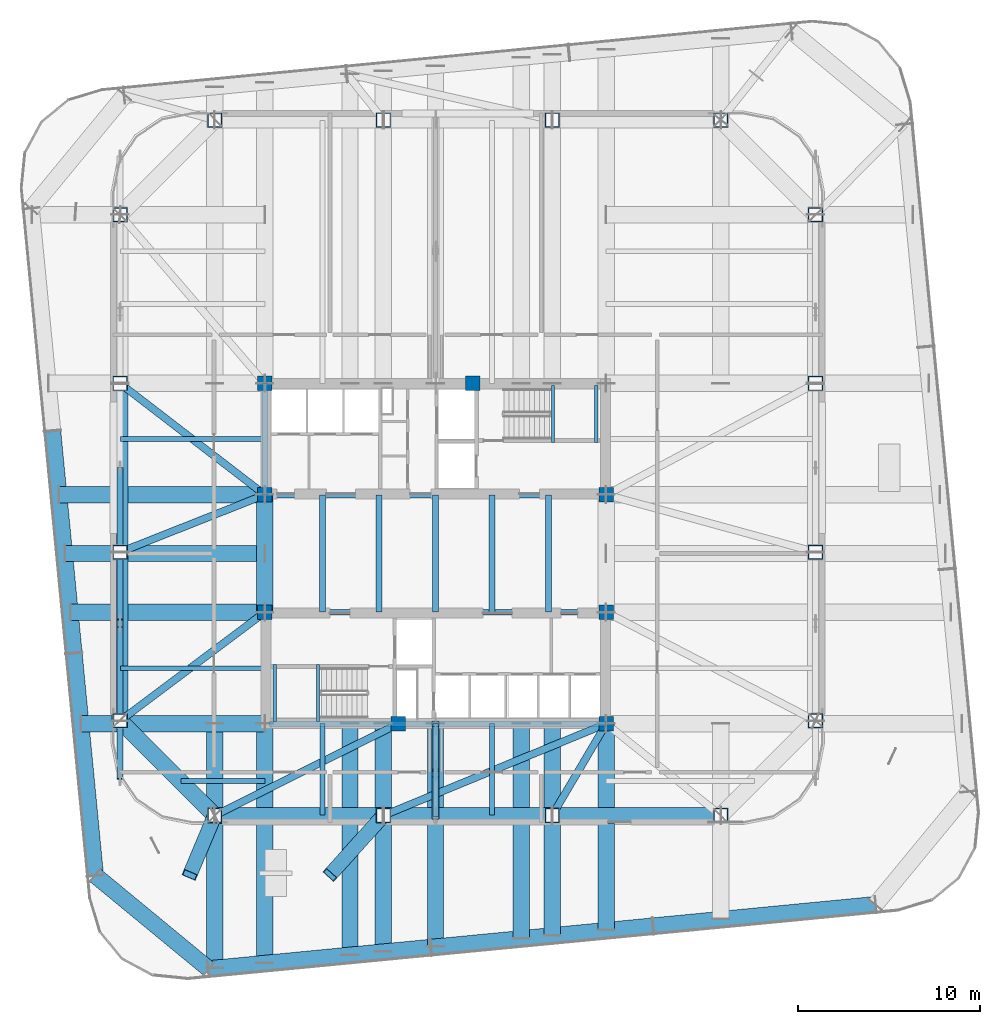
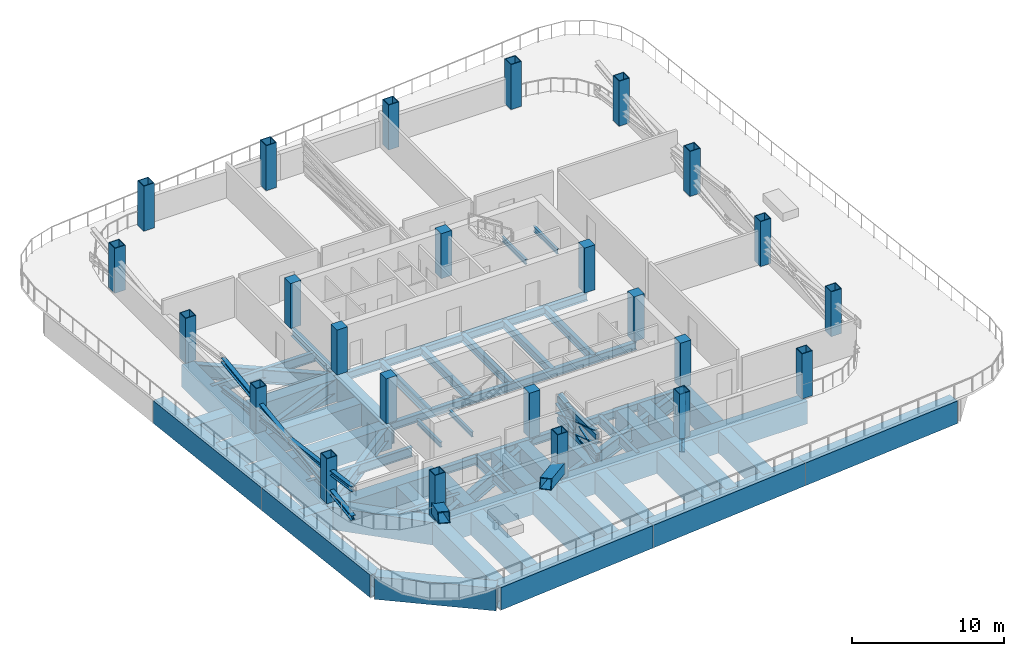
# One storey, part 1 of 15: 49 beams, 24 columns, 10 members.
"""IFC4 building model written with IfcOpenShell, lengths in metres."""

from ifc_helpers import new_model, si_unit, direction, frame, origin, origin_2d, place, context, subcontext, project, spatial, rectangle, hollow_rectangle, i_section, extrude, material, material_profile, profile_set, type_object, element, save


model = new_model("IFC4")

# Units and contexts
model_context = context("Model", 3, precision=1e-05, world=origin(), true_north=direction((0.0, 1.0)))
body_context = subcontext(model_context, "Body", "Model", "MODEL_VIEW")
ifc_project = project(units=[si_unit("LENGTHUNIT", "METRE"), si_unit("AREAUNIT", "SQUARE_METRE"), si_unit("VOLUMEUNIT", "CUBIC_METRE"), si_unit("PLANEANGLEUNIT", "RADIAN"), si_unit("MASSUNIT", "GRAM", prefix="KILO")], contexts=[model_context])

# Site, building, storey
site_placement = place(None, origin())
site = spatial("IfcSite", under=ifc_project, at=site_placement, CompositionType="ELEMENT")
building_placement = place(site_placement, origin())
building = spatial("IfcBuilding", under=site, at=building_placement, Name="Qhalaya Broadcast Tower", CompositionType="ELEMENT")
storey_placement = place(building_placement, frame((0.0, 0.0, 101.25)))
storey = spatial("IfcBuildingStorey", under=building, at=storey_placement, Name="L29", CompositionType="ELEMENT", Elevation=101.25)

# Columns
ifc_material_1 = material(Name="Concrete C50/60", Category="concrete")
ifc_material_profile_1 = material_profile(ifc_material_1, rectangle(XDim=0.800048828125, YDim=0.800048828125, at=origin_2d()), Name="RC-COL 800x800")
ifc_profile_set_1 = profile_set([ifc_material_profile_1], Name="Concrete C50/60")
column_type_1 = type_object("IfcColumnType", Name="RC Upper Column C10", PredefinedType="COLUMN", material=ifc_profile_set_1)
for number, where, z_axis, x_axis, name in (
    (1, (-9.375, 9.949951171875, 0.0), (0.0, 0.0, 1.0), (1.0, 0.0, 0.0), "L29 Column COL-CC1"),
    (2, (2.050048828125, 9.949951171875, 0.0), (0.0, 0.0, 1.0), (1.0, 0.0, 0.0), "L29 Column COL-CC2"),
    (3, (-9.375, 3.824951171875, 0.0), (0.0, 0.0, 1.0), (1.0, 0.0, 0.0), "L29 Column COL-CC3"),
    (4, (9.375, 3.824951171875, 0.0), (0.0, 0.0, 1.0), (1.0, 0.0, 0.0), "L29 Column COL-CC4"),
    (5, (-9.375, -2.625, 0.0), (0.0, 0.0, 1.0), (1.0, 0.0, 0.0), "L29 Column COL-CC5"),
    (6, (9.375, -2.625, 0.0), (0.0, 0.0, 1.0), (1.0, 0.0, 0.0), "L29 Column COL-CC6"),
    (7, (-2.050048828125, -8.75, 0.0), (0.0, 0.0, 1.0), (1.0, 0.0, 0.0), "L29 Column COL-CC7"),
    (8, (9.375, -8.75, 0.0), (0.0, 0.0, 1.0), (1.0, 0.0, 0.0), "L29 Column COL-CC8"),
):
    element("IfcColumn", number, at=place(storey_placement, frame(where, z_axis=z_axis, x_axis=x_axis)), inside=storey, type_object=column_type_1, Name=name, PredefinedType="COLUMN", context=body_context, shape_type="SweptSolid", body=[
        extrude(rectangle(XDim=0.800048828125, YDim=0.800048828125, at=origin_2d()), origin(), (0.0, 0.0, 1.0), 3.60009765625),
    ])
ifc_material_2 = material(Name="Structural Steel ASTM A572 Grade 50", Category="steel")
ifc_material_profile_2 = material_profile(ifc_material_2, hollow_rectangle(XDim=0.800048828125, YDim=0.800048828125, WallThickness=0.050048828125, at=origin_2d()), Name="BOX 800x800x50")
ifc_profile_set_2 = profile_set([ifc_material_profile_2], Name="Structural Steel ASTM A572 Grade 50")
column_type_2 = type_object("IfcColumnType", Name="Steel Box Column C03", PredefinedType="COLUMN", material=ifc_profile_set_2)
for number, where, z_axis, x_axis, name in (
    (9, (-12.1298828125, -13.7900390625, 0.0), (0.0, 0.0, 1.0), (1.0, 0.0, 0.0), "L29 Column COL-NK01"),
    (10, (-2.86328125, -13.7900390625, 0.0), (0.0, 0.0, 1.0), (1.0, 0.0, 0.0), "L29 Column COL-NK02"),
    (11, (6.4033203125, -13.7900390625, 0.0), (0.0, 0.0, 1.0), (1.0, 0.0, 0.0), "L29 Column COL-NK03"),
    (12, (15.669921875, -13.7900390625, 0.0), (0.0, 0.0, 1.0), (1.0, 0.0, 0.0), "L29 Column COL-NK04"),
    (13, (20.8701171875, -8.590087890625, 0.0), (0.0, 0.0, 1.0), (0.0, 1.0, 0.0), "L29 Column COL-NK05"),
    (14, (20.8701171875, 0.6767578125, 0.0), (0.0, 0.0, 1.0), (0.0, 1.0, 0.0), "L29 Column COL-NK06"),
    (15, (20.8701171875, 9.943359375, 0.0), (0.0, 0.0, 1.0), (0.0, 1.0, 0.0), "L29 Column COL-NK07"),
    (16, (20.8701171875, 19.2099609375, 0.0), (0.0, 0.0, 1.0), (0.0, 1.0, 0.0), "L29 Column COL-NK08"),
    (17, (15.669921875, 24.409912109375, 0.0), (0.0, 0.0, 1.0), (1.0, 0.0, 0.0), "L29 Column COL-NK09"),
    (18, (6.4033203125, 24.409912109375, 0.0), (0.0, 0.0, 1.0), (1.0, 0.0, 0.0), "L29 Column COL-NK10"),
    (19, (-2.86328125, 24.409912109375, 0.0), (0.0, 0.0, 1.0), (1.0, 0.0, 0.0), "L29 Column COL-NK11"),
    (20, (-12.1298828125, 24.409912109375, 0.0), (0.0, 0.0, 1.0), (1.0, 0.0, 0.0), "L29 Column COL-NK12"),
    (21, (-17.330078125, 19.2099609375, 0.0), (0.0, 0.0, 1.0), (0.0, 1.0, 0.0), "L29 Column COL-NK13"),
    (22, (-17.330078125, 9.943359375, 0.0), (0.0, 0.0, 1.0), (0.0, 1.0, 0.0), "L29 Column COL-NK14"),
    (23, (-17.330078125, 0.6767578125, 0.0), (0.0, 0.0, 1.0), (0.0, 1.0, 0.0), "L29 Column COL-NK15"),
    (24, (-17.330078125, -8.590087890625, 0.0), (0.0, 0.0, 1.0), (0.0, 1.0, 0.0), "L29 Column COL-NK16"),
):
    element("IfcColumn", number, at=place(storey_placement, frame(where, z_axis=z_axis, x_axis=x_axis)), inside=storey, type_object=column_type_2, Name=name, PredefinedType="COLUMN", context=body_context, shape_type="SweptSolid", body=[
        extrude(hollow_rectangle(XDim=0.800048828125, YDim=0.800048828125, WallThickness=0.050048828125, at=origin_2d()), origin(), (0.0, 0.0, 1.0), 3.60009765625),
    ])

# Members
ifc_material_profile_3 = material_profile(ifc_material_2, i_section(OverallWidth=0.31298828125, OverallDepth=0.3798828125, WebThickness=0.01806640625, FlangeThickness=0.028076171875, at=origin_2d()), Name="W12X120")
ifc_profile_set_3 = profile_set([ifc_material_profile_3], Name="Structural Steel ASTM A572 Grade 50")
member_type_1 = type_object("IfcMemberType", Name="Belt-Truss Diagonal Brace OB2", PredefinedType="BRACE", material=ifc_profile_set_3)
member_1_placement = place(storey_placement, frame((-17.330078125, -11.7900390625, 0.449951171875), z_axis=(0.0, 0.990921197915, 0.134443964247), x_axis=(-1.0, 0.0, 0.0)))
element("IfcMember", 25, at=member_1_placement, inside=storey, type_object=member_type_1, Name="L29 Belt Truss Continuous Brace W1A", PredefinedType="BRACE", context=body_context, shape_type="SweptSolid", body=[
    extrude(i_section(OverallWidth=0.31298828125, OverallDepth=0.3798828125, WebThickness=0.01806640625, FlangeThickness=0.028076171875, at=origin_2d()), origin(), (0.0, 0.0, 1.0), 17.2568359375),
])
for number, where, z_axis, x_axis, name in (
    (26, (-17.330078125, -11.7900390625, 2.77001953125), (0.0, 0.990922519116, -0.134434225958), (-1.0, 0.0, 0.0), "L29 Belt Truss Split Brace W1B1"),
    (27, (-17.330078125, -3.02197265625, 1.580322265625), (0.0, 0.990922519116, -0.134434225958), (-1.0, 0.0, 0.0), "L29 Belt Truss Split Brace W1B2"),
):
    element("IfcMember", number, at=place(storey_placement, frame(where, z_axis=z_axis, x_axis=x_axis)), inside=storey, type_object=member_type_1, Name=name, PredefinedType="BRACE", context=body_context, shape_type="SweptSolid", body=[
        extrude(i_section(OverallWidth=0.31298828125, OverallDepth=0.3798828125, WebThickness=0.01806640625, FlangeThickness=0.028076171875, at=origin_2d()), origin(), (0.0, 0.0, 1.0), 8.408447265625),
    ])

# Beams
ifc_material_profile_4 = material_profile(ifc_material_2, hollow_rectangle(XDim=0.89990234375, YDim=1.800048828125, WallThickness=0.06005859375, at=origin_2d()), Name="BOX 900x1800x60")
ifc_profile_set_4 = profile_set([ifc_material_profile_4], Name="Structural Steel ASTM A572 Grade 50")
beam_type_1 = type_object("IfcBeamType", Name="Block Cantilever Transfer Box Girder TG1", PredefinedType="USERDEFINED", material=ifc_profile_set_4)
for number, where, z_axis, x_axis, name in (
    (28, (-12.1298828125, -13.7900390625, -1.179931640625), (1.0, 0.0, 0.0), (0.0, 1.0, 0.0), "L29 TG1 L29-SPR-01"),
    (29, (-2.86328125, -13.7900390625, -1.179931640625), (1.0, 0.0, 0.0), (0.0, 1.0, 0.0), "L29 TG1 L29-SPR-02"),
    (30, (6.4033203125, -13.7900390625, -1.179931640625), (1.0, 0.0, 0.0), (0.0, 1.0, 0.0), "L29 TG1 L29-SPR-03"),
    (31, (-17.330078125, 9.943359375, -1.179931640625), (0.0, -1.0, 0.0), (1.0, 0.0, 0.0), "L29 TG1 L29-SPR-14"),
):
    element("IfcBeam", number, at=place(storey_placement, frame(where, z_axis=z_axis, x_axis=x_axis)), inside=storey, type_object=beam_type_1, Name=name, ObjectType="GIRDER", PredefinedType="USERDEFINED", context=body_context, shape_type="SweptSolid", body=[
        extrude(hollow_rectangle(XDim=0.89990234375, YDim=1.800048828125, WallThickness=0.06005859375, at=origin_2d()), origin(), (0.0, 0.0, 1.0), 9.2666015625),
    ])
beam_1_placement = place(storey_placement, frame((-17.330078125, 0.6767578125, -1.179931640625), z_axis=(0.0, -1.0, 0.0), x_axis=(1.0, 0.0, 0.0)))
element("IfcBeam", 32, at=beam_1_placement, inside=storey, type_object=beam_type_1, Name="L29 TG1 L29-SPR-15", ObjectType="GIRDER", PredefinedType="USERDEFINED", context=body_context, shape_type="SweptSolid", body=[
    extrude(hollow_rectangle(XDim=0.89990234375, YDim=1.800048828125, WallThickness=0.06005859375, at=origin_2d()), origin(), (0.0, 0.0, 1.0), 9.266845703125),
])
beam_2_placement = place(storey_placement, frame((-17.330078125, -8.590087890625, -1.179931640625), z_axis=(0.707123380132, -0.707090181851, 0.0), x_axis=(0.707090181851, 0.707123380132, 0.0)))
element("IfcBeam", 33, at=beam_2_placement, inside=storey, type_object=beam_type_1, Name="L29 TG1 L29-SPR-16", ObjectType="GIRDER", PredefinedType="USERDEFINED", context=body_context, shape_type="SweptSolid", body=[
    extrude(hollow_rectangle(XDim=0.89990234375, YDim=1.800048828125, WallThickness=0.06005859375, at=origin_2d()), origin(), (0.0, 0.0, 1.0), 7.35400390625),
])
for number, where, z_axis, x_axis, name in (
    (34, (-12.46533203125, -22.212646484375, -1.179931640625), (0.99539563662, 0.095851586307, 0.0), (-0.095851586307, 0.99539563662, 0.0), "L29 TG1 L29-TGL-01"),
    (35, (-0.255126953125, -21.036865234375, -1.179931640625), (0.99539563662, 0.095851586307, 0.0), (-0.095851586307, 0.99539563662, 0.0), "L29 TG1 L29-TGL-02"),
    (36, (11.955078125, -19.861083984375, -1.179931640625), (0.995397535354, 0.095831866369, 0.0), (-0.095831866369, 0.995397535354, 0.0), "L29 TG1 L29-TGL-03"),
    (37, (-21.036865234375, 7.335205078125, -1.179931640625), (0.095851586307, -0.99539563662, 0.0), (0.99539563662, 0.095851586307, 0.0), "L29 TG1 L29-TGL-14"),
    (38, (-19.861083984375, -4.875, -1.179931640625), (0.095831866369, -0.995397535354, 0.0), (0.995397535354, 0.095831866369, 0.0), "L29 TG1 L29-TGL-15"),
):
    element("IfcBeam", number, at=place(storey_placement, frame(where, z_axis=z_axis, x_axis=x_axis)), inside=storey, type_object=beam_type_1, Name=name, ObjectType="GIRDER", PredefinedType="USERDEFINED", context=body_context, shape_type="SweptSolid", body=[
        extrude(hollow_rectangle(XDim=0.89990234375, YDim=1.800048828125, WallThickness=0.06005859375, at=origin_2d()), origin(), (0.0, 0.0, 1.0), 12.2666015625),
    ])
beam_3_placement = place(storey_placement, frame((-18.685546875, -17.085205078125, -1.179931640625), z_axis=(0.771631160126, -0.636070241972, 0.0), x_axis=(0.636070241972, 0.771631160126, 0.0)))
element("IfcBeam", 39, at=beam_3_placement, inside=storey, type_object=beam_type_1, Name="L29 TG1 L29-TGL-16", ObjectType="GIRDER", PredefinedType="USERDEFINED", context=body_context, shape_type="SweptSolid", body=[
    extrude(hollow_rectangle(XDim=0.89990234375, YDim=1.800048828125, WallThickness=0.06005859375, at=origin_2d()), origin(), (0.0, 0.0, 1.0), 8.06103515625),
])
beam_4_placement = place(storey_placement, frame((0.0, -20.97216796875, -1.179931640625), z_axis=(0.0, 1.0, 0.0), x_axis=(-1.0, 0.0, 0.0)))
element("IfcBeam", 40, at=beam_4_placement, inside=storey, type_object=beam_type_1, Name="L29 TG1 L29-TGIMS-1", ObjectType="GIRDER", PredefinedType="USERDEFINED", context=body_context, shape_type="SweptSolid", body=[
    extrude(hollow_rectangle(XDim=0.89990234375, YDim=1.800048828125, WallThickness=0.06005859375, at=origin_2d()), origin(), (0.0, 0.0, 1.0), 12.22216796875),
])
beam_5_placement = place(storey_placement, frame((-4.699951171875, -21.4248046875, -1.179931640625), z_axis=(0.0, 1.0, 0.0), x_axis=(-1.0, 0.0, 0.0)))
element("IfcBeam", 41, at=beam_5_placement, inside=storey, type_object=beam_type_1, Name="L29 TG1 L29-TGIMSW-1", ObjectType="GIRDER", PredefinedType="USERDEFINED", context=body_context, shape_type="SweptSolid", body=[
    extrude(hollow_rectangle(XDim=0.89990234375, YDim=1.800048828125, WallThickness=0.06005859375, at=origin_2d()), origin(), (0.0, 0.0, 1.0), 12.6748046875),
])
beam_6_placement = place(storey_placement, frame((4.699951171875, -20.51953125, -1.179931640625), z_axis=(0.0, 1.0, 0.0), x_axis=(-1.0, 0.0, 0.0)))
element("IfcBeam", 42, at=beam_6_placement, inside=storey, type_object=beam_type_1, Name="L29 TG1 L29-TGIMSE-1", ObjectType="GIRDER", PredefinedType="USERDEFINED", context=body_context, shape_type="SweptSolid", body=[
    extrude(hollow_rectangle(XDim=0.89990234375, YDim=1.800048828125, WallThickness=0.06005859375, at=origin_2d()), origin(), (0.0, 0.0, 1.0), 11.76953125),
])
beam_7_placement = place(storey_placement, frame((-20.34814453125, 0.60009765625, -1.179931640625), z_axis=(1.0, 0.0, 0.0), x_axis=(0.0, 1.0, 0.0)))
element("IfcBeam", 43, at=beam_7_placement, inside=storey, type_object=beam_type_1, Name="L29 TG1 L29-TGIYW-1", ObjectType="GIRDER", PredefinedType="USERDEFINED", context=body_context, shape_type="SweptSolid", body=[
    extrude(hollow_rectangle(XDim=0.89990234375, YDim=1.800048828125, WallThickness=0.06005859375, at=origin_2d()), origin(), (0.0, 0.0, 1.0), 10.97314453125),
])
beam_8_placement = place(storey_placement, frame((-9.375, -21.874755859375, -1.179931640625), z_axis=(0.0, 1.0, 0.0), x_axis=(-1.0, 0.0, 0.0)))
element("IfcBeam", 44, at=beam_8_placement, inside=storey, type_object=beam_type_1, Name="L29 TG1 L29-TGISW-1", ObjectType="GIRDER", PredefinedType="USERDEFINED", context=body_context, shape_type="SweptSolid", body=[
    extrude(hollow_rectangle(XDim=0.89990234375, YDim=1.800048828125, WallThickness=0.06005859375, at=origin_2d()), origin(), (0.0, 0.0, 1.0), 13.124755859375),
])
beam_9_placement = place(storey_placement, frame((9.375, -20.0693359375, -1.179931640625), z_axis=(0.0, 1.0, 0.0), x_axis=(-1.0, 0.0, 0.0)))
element("IfcBeam", 45, at=beam_9_placement, inside=storey, type_object=beam_type_1, Name="L29 TG1 L29-TGISE-1", ObjectType="GIRDER", PredefinedType="USERDEFINED", context=body_context, shape_type="SweptSolid", body=[
    extrude(hollow_rectangle(XDim=0.89990234375, YDim=1.800048828125, WallThickness=0.06005859375, at=origin_2d()), origin(), (0.0, 0.0, 1.0), 11.3193359375),
])
beam_10_placement = place(storey_placement, frame((-9.375, -2.625, -1.179931640625), z_axis=(0.0, 1.0, 0.0), x_axis=(-1.0, 0.0, 0.0)))
element("IfcBeam", 46, at=beam_10_placement, inside=storey, type_object=beam_type_1, Name="L29 TG1 L29-TGIMW-1", ObjectType="GIRDER", PredefinedType="USERDEFINED", context=body_context, shape_type="SweptSolid", body=[
    extrude(hollow_rectangle(XDim=0.89990234375, YDim=1.800048828125, WallThickness=0.06005859375, at=origin_2d()), origin(), (0.0, 0.0, 1.0), 6.449951171875),
])
beam_11_placement = place(storey_placement, frame((-19.447998046875, -8.75, -1.179931640625), z_axis=(1.0, 0.0, 0.0), x_axis=(0.0, 1.0, 0.0)))
element("IfcBeam", 47, at=beam_11_placement, inside=storey, type_object=beam_type_1, Name="L29 TG1 L29-TGIY1W-1", ObjectType="GIRDER", PredefinedType="USERDEFINED", context=body_context, shape_type="SweptSolid", body=[
    extrude(hollow_rectangle(XDim=0.89990234375, YDim=1.800048828125, WallThickness=0.06005859375, at=origin_2d()), origin(), (0.0, 0.0, 1.0), 10.072998046875),
])
beam_12_placement = place(storey_placement, frame((-20.03759765625, -2.625, -1.179931640625), z_axis=(1.0, 0.0, 0.0), x_axis=(0.0, 1.0, 0.0)))
element("IfcBeam", 48, at=beam_12_placement, inside=storey, type_object=beam_type_1, Name="L29 TG1 L29-TGIY2W-1", ObjectType="GIRDER", PredefinedType="USERDEFINED", context=body_context, shape_type="SweptSolid", body=[
    extrude(hollow_rectangle(XDim=0.89990234375, YDim=1.800048828125, WallThickness=0.06005859375, at=origin_2d()), origin(), (0.0, 0.0, 1.0), 10.66259765625),
])
beam_13_placement = place(storey_placement, frame((-20.65869140625, 3.824951171875, -1.179931640625), z_axis=(1.0, 0.0, 0.0), x_axis=(0.0, 1.0, 0.0)))
element("IfcBeam", 49, at=beam_13_placement, inside=storey, type_object=beam_type_1, Name="L29 TG1 L29-TGIY3W-1", ObjectType="GIRDER", PredefinedType="USERDEFINED", context=body_context, shape_type="SweptSolid", body=[
    extrude(hollow_rectangle(XDim=0.89990234375, YDim=1.800048828125, WallThickness=0.06005859375, at=origin_2d()), origin(), (0.0, 0.0, 1.0), 11.28369140625),
])
beam_14_placement = place(storey_placement, frame((-12.1298828125, -22.14013671875, -1.179931640625), z_axis=(0.0, 1.0, 0.0), x_axis=(-1.0, 0.0, 0.0)))
element("IfcBeam", 50, at=beam_14_placement, inside=storey, type_object=beam_type_1, Name="L29 Spanning Transfer Box Girder 01", ObjectType="GIRDER", PredefinedType="USERDEFINED", context=body_context, shape_type="SweptSolid", body=[
    extrude(hollow_rectangle(XDim=0.89990234375, YDim=1.800048828125, WallThickness=0.06005859375, at=origin_2d()), origin(), (0.0, 0.0, 1.0), 13.39013671875),
])
beam_15_placement = place(storey_placement, frame((-2.86328125, -21.247802734375, -1.179931640625), z_axis=(0.0, 1.0, 0.0), x_axis=(-1.0, 0.0, 0.0)))
element("IfcBeam", 51, at=beam_15_placement, inside=storey, type_object=beam_type_1, Name="L29 Spanning Transfer Box Girder 02", ObjectType="GIRDER", PredefinedType="USERDEFINED", context=body_context, shape_type="SweptSolid", body=[
    extrude(hollow_rectangle(XDim=0.89990234375, YDim=1.800048828125, WallThickness=0.06005859375, at=origin_2d()), origin(), (0.0, 0.0, 1.0), 12.497802734375),
])
beam_16_placement = place(storey_placement, frame((6.4033203125, -20.355712890625, -1.179931640625), z_axis=(0.0, 1.0, 0.0), x_axis=(-1.0, 0.0, 0.0)))
element("IfcBeam", 52, at=beam_16_placement, inside=storey, type_object=beam_type_1, Name="L29 Spanning Transfer Box Girder 03", ObjectType="GIRDER", PredefinedType="USERDEFINED", context=body_context, shape_type="SweptSolid", body=[
    extrude(hollow_rectangle(XDim=0.89990234375, YDim=1.800048828125, WallThickness=0.06005859375, at=origin_2d()), origin(), (0.0, 0.0, 1.0), 11.605712890625),
])
ifc_material_3 = material(Name="Structural Steel ASTM A992 Grade 50", Category="steel")
ifc_material_profile_5 = material_profile(ifc_material_3, i_section(OverallWidth=0.323974609375, OverallDepth=0.612060546875, WebThickness=0.0126953125, FlangeThickness=0.01904296875, at=origin_2d()), Name="W24X104")
ifc_profile_set_5 = profile_set([ifc_material_profile_5], Name="Structural Steel ASTM A992 Grade 50")
beam_type_2 = type_object("IfcBeamType", Name="Core Frame Tie Beam B04", PredefinedType="BEAM", material=ifc_profile_set_5)
beam_17_placement = place(storey_placement, frame((-9.375, 3.824951171875, -0.5859375), z_axis=(1.0, 0.0, 0.0), x_axis=(0.0, 1.0, 0.0)))
element("IfcBeam", 53, at=beam_17_placement, inside=storey, type_object=beam_type_2, Name="L29 B04 L29-CCN1", PredefinedType="BEAM", context=body_context, shape_type="SweptSolid", body=[
    extrude(i_section(OverallWidth=0.323974609375, OverallDepth=0.612060546875, WebThickness=0.0126953125, FlangeThickness=0.01904296875, at=origin_2d()), origin(), (0.0, 0.0, 1.0), 18.75),
])
beam_18_placement = place(storey_placement, frame((-9.375, 3.824951171875, -0.5859375), z_axis=(0.0, 1.0, 0.0), x_axis=(-1.0, 0.0, 0.0)))
element("IfcBeam", 54, at=beam_18_placement, inside=storey, type_object=beam_type_2, Name="L29 B04 L29-CCN2", PredefinedType="BEAM", context=body_context, shape_type="SweptSolid", body=[
    extrude(i_section(OverallWidth=0.323974609375, OverallDepth=0.612060546875, WebThickness=0.0126953125, FlangeThickness=0.01904296875, at=origin_2d()), origin(), (0.0, 0.0, 1.0), 6.125),
])
beam_19_placement = place(storey_placement, frame((-9.375, -2.625, -0.5859375), z_axis=(1.0, 0.0, 0.0), x_axis=(0.0, 1.0, 0.0)))
element("IfcBeam", 55, at=beam_19_placement, inside=storey, type_object=beam_type_2, Name="L29 B04 L29-CCS1", PredefinedType="BEAM", context=body_context, shape_type="SweptSolid", body=[
    extrude(i_section(OverallWidth=0.323974609375, OverallDepth=0.612060546875, WebThickness=0.0126953125, FlangeThickness=0.01904296875, at=origin_2d()), origin(), (0.0, 0.0, 1.0), 18.75),
])
beam_20_placement = place(storey_placement, frame((-9.1201171875, -8.75, -0.5859375), z_axis=(1.0, 0.0, 0.0), x_axis=(0.0, 1.0, 0.0)))
element("IfcBeam", 56, at=beam_20_placement, inside=storey, type_object=beam_type_2, Name="L29 B04 L29-CCS3", PredefinedType="BEAM", context=body_context, shape_type="SweptSolid", body=[
    extrude(i_section(OverallWidth=0.323974609375, OverallDepth=0.612060546875, WebThickness=0.0126953125, FlangeThickness=0.01904296875, at=origin_2d()), origin(), (0.0, 0.0, 1.0), 18.4951171875),
])
for number, where, z_axis, x_axis, name in (
    (57, (-6.199951171875, -2.625, -0.5859375), (0.0, 1.0, 0.0), (-1.0, 0.0, 0.0), "L29 B04 L29-JC1-1"),
    (58, (-3.10009765625, -2.625, -0.5859375), (0.0, 1.0, 0.0), (-1.0, 0.0, 0.0), "L29 B04 L29-JC2-1"),
    (59, (0.0, -2.625, -0.5859375), (0.0, 1.0, 0.0), (-1.0, 0.0, 0.0), "L29 B04 L29-JC3-1"),
    (60, (3.10009765625, -2.625, -0.5859375), (0.0, 1.0, 0.0), (-1.0, 0.0, 0.0), "L29 B04 L29-JC4-1"),
    (61, (6.199951171875, -2.625, -0.5859375), (0.0, 1.0, 0.0), (-1.0, 0.0, 0.0), "L29 B04 L29-JC5-1"),
):
    element("IfcBeam", number, at=place(storey_placement, frame(where, z_axis=z_axis, x_axis=x_axis)), inside=storey, type_object=beam_type_2, Name=name, PredefinedType="BEAM", context=body_context, shape_type="SweptSolid", body=[
        extrude(i_section(OverallWidth=0.323974609375, OverallDepth=0.612060546875, WebThickness=0.0126953125, FlangeThickness=0.01904296875, at=origin_2d()), origin(), (0.0, 0.0, 1.0), 6.449951171875),
    ])

# Members
ifc_material_profile_6 = material_profile(ifc_material_2, i_section(OverallWidth=0.40087890625, OverallDepth=1.0009765625, WebThickness=0.01904296875, FlangeThickness=0.0361328125, at=origin_2d()), Name="W40X249")
ifc_profile_set_6 = profile_set([ifc_material_profile_6], Name="Structural Steel ASTM A572 Grade 50")
member_type_2 = type_object("IfcMemberType", Name="Core-to-Perimeter Outrigger Brace OB1", PredefinedType="BRACE", material=ifc_profile_set_6)
member_2_placement = place(storey_placement, frame((0.0, -8.75, 0.449951171875), z_axis=(0.0, -0.94906044249, 0.315094075635), x_axis=(1.0, 0.0, 0.0)))
element("IfcMember", 62, at=member_2_placement, inside=storey, type_object=member_type_2, Name="L29 Outrigger Continuous Diagonal SCA", PredefinedType="BRACE", context=body_context, shape_type="SweptSolid", body=[
    extrude(i_section(OverallWidth=0.40087890625, OverallDepth=1.0009765625, WebThickness=0.01904296875, FlangeThickness=0.0361328125, at=origin_2d()), origin(), (0.0, 0.0, 1.0), 5.36328125),
])
member_3_placement = place(storey_placement, frame((0.0, -8.75, 2.139892578125), z_axis=(0.0, -0.94906259818, -0.315087582643), x_axis=(1.0, 0.0, 0.0)))
element("IfcMember", 63, at=member_3_placement, inside=storey, type_object=member_type_2, Name="L29 Outrigger Split Diagonal SCB1", PredefinedType="BRACE", context=body_context, shape_type="SweptSolid", body=[
    extrude(i_section(OverallWidth=0.40087890625, OverallDepth=1.0009765625, WebThickness=0.01904296875, FlangeThickness=0.0361328125, at=origin_2d()), origin(), (0.0, 0.0, 1.0), 2.44140625),
])
member_4_placement = place(storey_placement, frame((0.0, -11.522705078125, 1.219482421875), z_axis=(0.0, -0.94904262382, -0.315147740232), x_axis=(1.0, 0.0, 0.0)))
element("IfcMember", 64, at=member_4_placement, inside=storey, type_object=member_type_2, Name="L29 Outrigger Split Diagonal SCB2", PredefinedType="BRACE", context=body_context, shape_type="SweptSolid", body=[
    extrude(i_section(OverallWidth=0.40087890625, OverallDepth=1.0009765625, WebThickness=0.01904296875, FlangeThickness=0.0361328125, at=origin_2d()), origin(), (0.0, 0.0, 1.0), 2.44189453125),
])
ifc_material_profile_7 = material_profile(ifc_material_2, hollow_rectangle(XDim=0.300048828125, YDim=0.39990234375, WallThickness=0.02001953125, at=origin_2d()), Name="HSS 300x400x20")
ifc_profile_set_7 = profile_set([ifc_material_profile_7], Name="Structural Steel ASTM A572 Grade 50")
member_type_3 = type_object("IfcMemberType", Name="Outrigger & Belt-Truss Chord CH1", PredefinedType="CHORD", material=ifc_profile_set_7)
for number, where, z_axis, x_axis, name in (
    (65, (0.0, -8.75, 0.449951171875), (0.0, -1.0, 0.0), (1.0, 0.0, 0.0), "L29 Outrigger Bottom Chord SC"),
    (66, (0.0, -8.75, 2.139892578125), (0.0, -1.0, 0.0), (1.0, 0.0, 0.0), "L29 Outrigger Top Chord SC"),
):
    element("IfcMember", number, at=place(storey_placement, frame(where, z_axis=z_axis, x_axis=x_axis)), inside=storey, type_object=member_type_3, Name=name, PredefinedType="CHORD", context=body_context, shape_type="SweptSolid", body=[
        extrude(hollow_rectangle(XDim=0.300048828125, YDim=0.39990234375, WallThickness=0.02001953125, at=origin_2d()), origin(), (0.0, 0.0, 1.0), 5.090087890625),
    ])

# Beams
ifc_material_profile_8 = material_profile(ifc_material_3, i_section(OverallWidth=0.26708984375, OverallDepth=0.761962890625, WebThickness=0.014404296875, FlangeThickness=0.021484375, at=origin_2d()), Name="W30X116")
ifc_profile_set_8 = profile_set([ifc_material_profile_8], Name="Structural Steel ASTM A992 Grade 50")
beam_type_3 = type_object("IfcBeamType", Name="Plant & Server Floor Beam B02", PredefinedType="BEAM", material=ifc_profile_set_8)
for number, where, z_axis, x_axis, name in (
    (67, (-6.199951171875, -13.77001953125, -0.660888671875), (0.0, 1.0, 0.0), (-1.0, 0.0, 0.0), "L29 B02 L29-JNS1-1"),
    (68, (3.10009765625, -13.77001953125, -0.660888671875), (0.0, 1.0, 0.0), (-1.0, 0.0, 0.0), "L29 B02 L29-JNS4-1"),
):
    element("IfcBeam", number, at=place(storey_placement, frame(where, z_axis=z_axis, x_axis=x_axis)), inside=storey, type_object=beam_type_3, Name=name, PredefinedType="BEAM", context=body_context, shape_type="SweptSolid", body=[
        extrude(i_section(OverallWidth=0.26708984375, OverallDepth=0.761962890625, WebThickness=0.014404296875, FlangeThickness=0.021484375, at=origin_2d()), origin(), (0.0, 0.0, 1.0), 5.02001953125),
    ])
beam_21_placement = place(storey_placement, frame((-13.99169921875, -11.89990234375, -0.660888671875), z_axis=(1.0, 0.0, 0.0), x_axis=(0.0, 1.0, 0.0)))
element("IfcBeam", 69, at=beam_21_placement, inside=storey, type_object=beam_type_3, Name="L29 B02 L29-JWE2W-1", PredefinedType="BEAM", context=body_context, shape_type="SweptSolid", body=[
    extrude(i_section(OverallWidth=0.26708984375, OverallDepth=0.761962890625, WebThickness=0.014404296875, FlangeThickness=0.021484375, at=origin_2d()), origin(), (0.0, 0.0, 1.0), 4.61669921875),
])
for number, where, z_axis, x_axis, name in (
    (70, (-17.31005859375, -5.699951171875, -0.660888671875), (1.0, 0.0, 0.0), (0.0, 1.0, 0.0), "L29 B02 L29-JWE3W-1"),
    (71, (-17.31005859375, 6.89990234375, -0.660888671875), (1.0, 0.0, 0.0), (0.0, 1.0, 0.0), "L29 B02 L29-JWE5W-1"),
):
    element("IfcBeam", number, at=place(storey_placement, frame(where, z_axis=z_axis, x_axis=x_axis)), inside=storey, type_object=beam_type_3, Name=name, PredefinedType="BEAM", context=body_context, shape_type="SweptSolid", body=[
        extrude(i_section(OverallWidth=0.26708984375, OverallDepth=0.761962890625, WebThickness=0.014404296875, FlangeThickness=0.021484375, at=origin_2d()), origin(), (0.0, 0.0, 1.0), 7.93505859375),
    ])
ifc_material_profile_9 = material_profile(ifc_material_3, i_section(OverallWidth=0.404052734375, OverallDepth=1.117919921875, WebThickness=0.026123046875, FlangeThickness=0.044921875, at=origin_2d()), Name="W44X335")
ifc_profile_set_9 = profile_set([ifc_material_profile_9], Name="Structural Steel ASTM A992 Grade 50")
beam_type_4 = type_object("IfcBeamType", Name="Podium Long-Span Primary Girder PG1", PredefinedType="USERDEFINED", material=ifc_profile_set_9)
beam_22_placement = place(storey_placement, frame((-2.050048828125, -8.75, -0.839111328125), z_axis=(-0.894422858249, -0.447222260898, 0.0), x_axis=(0.447222260898, -0.894422858249, 0.0)))
element("IfcBeam", 72, at=beam_22_placement, inside=storey, type_object=beam_type_4, Name="L29 Column-to-Column Moment Tie Girder 01-1", ObjectType="GIRDER", PredefinedType="USERDEFINED", context=body_context, shape_type="SweptSolid", body=[
    extrude(i_section(OverallWidth=0.404052734375, OverallDepth=1.117919921875, WebThickness=0.026123046875, FlangeThickness=0.044921875, at=origin_2d()), origin(), (0.0, 0.0, 1.0), 11.26953125),
])
beam_23_placement = place(storey_placement, frame((9.375, -8.75, -0.839111328125), z_axis=(-0.924658232354, -0.380798047972, 0.0), x_axis=(0.380798047972, -0.924658232354, 0.0)))
element("IfcBeam", 73, at=beam_23_placement, inside=storey, type_object=beam_type_4, Name="L29 Column-to-Column Moment Tie Girder 02-3", ObjectType="GIRDER", PredefinedType="USERDEFINED", context=body_context, shape_type="SweptSolid", body=[
    extrude(i_section(OverallWidth=0.404052734375, OverallDepth=1.117919921875, WebThickness=0.026123046875, FlangeThickness=0.044921875, at=origin_2d()), origin(), (0.0, 0.0, 1.0), 13.2353515625),
])
beam_24_placement = place(storey_placement, frame((9.375, -8.75, -0.839111328125), z_axis=(-0.507902458985, -0.861414587848, 0.0), x_axis=(0.861414587848, -0.507902458985, 0.0)))
element("IfcBeam", 74, at=beam_24_placement, inside=storey, type_object=beam_type_4, Name="L29 Column-to-Column Moment Tie Girder 03-1", ObjectType="GIRDER", PredefinedType="USERDEFINED", context=body_context, shape_type="SweptSolid", body=[
    extrude(i_section(OverallWidth=0.404052734375, OverallDepth=1.117919921875, WebThickness=0.026123046875, FlangeThickness=0.044921875, at=origin_2d()), origin(), (0.0, 0.0, 1.0), 5.850830078125),
])
beam_25_placement = place(storey_placement, frame((-9.375, 3.824951171875, -0.839111328125), z_axis=(-0.792666491362, 0.609655503929, 0.0), x_axis=(-0.609655503929, -0.792666491362, 0.0)))
element("IfcBeam", 75, at=beam_25_placement, inside=storey, type_object=beam_type_4, Name="L29 Column-to-Column Moment Tie Girder 14-2", ObjectType="GIRDER", PredefinedType="USERDEFINED", context=body_context, shape_type="SweptSolid", body=[
    extrude(i_section(OverallWidth=0.404052734375, OverallDepth=1.117919921875, WebThickness=0.026123046875, FlangeThickness=0.044921875, at=origin_2d()), origin(), (0.0, 0.0, 1.0), 10.035888671875),
])
beam_26_placement = place(storey_placement, frame((-9.375, 3.824951171875, -0.839111328125), z_axis=(-0.929834279634, -0.367978548855, 0.0), x_axis=(0.367978548855, -0.929834279634, 0.0)))
element("IfcBeam", 76, at=beam_26_placement, inside=storey, type_object=beam_type_4, Name="L29 Column-to-Column Moment Tie Girder 15-1", ObjectType="GIRDER", PredefinedType="USERDEFINED", context=body_context, shape_type="SweptSolid", body=[
    extrude(i_section(OverallWidth=0.404052734375, OverallDepth=1.117919921875, WebThickness=0.026123046875, FlangeThickness=0.044921875, at=origin_2d()), origin(), (0.0, 0.0, 1.0), 8.555419921875),
])
beam_27_placement = place(storey_placement, frame((-9.375, -2.625, -0.839111328125), z_axis=(-0.800058925107, -0.599921425152, 0.0), x_axis=(0.599921425152, -0.800058925107, 0.0)))
element("IfcBeam", 77, at=beam_27_placement, inside=storey, type_object=beam_type_4, Name="L29 Column-to-Column Moment Tie Girder 16-1", ObjectType="GIRDER", PredefinedType="USERDEFINED", context=body_context, shape_type="SweptSolid", body=[
    extrude(i_section(OverallWidth=0.404052734375, OverallDepth=1.117919921875, WebThickness=0.026123046875, FlangeThickness=0.044921875, at=origin_2d()), origin(), (0.0, 0.0, 1.0), 9.943115234375),
])

# Members
ifc_material_profile_10 = material_profile(ifc_material_2, hollow_rectangle(XDim=0.800048828125, YDim=0.800048828125, WallThickness=0.050048828125, at=origin_2d()), Name="BOX 800x800x50")
ifc_profile_set_10 = profile_set([ifc_material_profile_10], Name="Structural Steel ASTM A572 Grade 50")
member_type_4 = type_object("IfcMemberType", Name="Upper Exoskeleton Transfer Strut RK2", PredefinedType="BRACE", material=ifc_profile_set_10)
member_5_placement = place(storey_placement, frame((-12.1298828125, -13.7900390625, 0.679931640625), z_axis=(-0.351486230599, -0.836314261795, 0.420756325226), x_axis=(0.921889893245, -0.387451964419, 0.0)))
element("IfcMember", 78, at=member_5_placement, inside=storey, type_object=member_type_4, Name="L29 Sky-Pool West Raking Support Strut", PredefinedType="BRACE", context=body_context, shape_type="SweptSolid", body=[
    extrude(hollow_rectangle(XDim=0.800048828125, YDim=0.800048828125, WallThickness=0.050048828125, at=origin_2d()), origin(), (0.0, 0.0, 1.0), 3.89794921875),
])
member_6_placement = place(storey_placement, frame((-2.86328125, -13.7900390625, 0.679931640625), z_axis=(-0.626943414633, -0.695949406899, 0.350137655624), x_axis=(0.742981427274, -0.669312033901, 0.0)))
element("IfcMember", 79, at=member_6_placement, inside=storey, type_object=member_type_4, Name="L29 Sky-Pool East Raking Support Strut", PredefinedType="BRACE", context=body_context, shape_type="SweptSolid", body=[
    extrude(hollow_rectangle(XDim=0.800048828125, YDim=0.800048828125, WallThickness=0.050048828125, at=origin_2d()), origin(), (0.0, 0.0, 1.0), 4.684326171875),
])

# Beams
ifc_material_profile_11 = material_profile(ifc_material_3, i_section(OverallWidth=0.177978515625, OverallDepth=0.406005859375, WebThickness=0.0078125, FlangeThickness=0.0126953125, at=origin_2d()), Name="W16X40")
ifc_profile_set_11 = profile_set([ifc_material_profile_11], Name="Structural Steel ASTM A992 Grade 50")
beam_type_5 = type_object("IfcBeamType", Name="Upper Perimeter Spandrel Beam SP2", PredefinedType="SPANDREL", material=ifc_profile_set_11)
for number, where, z_axis, x_axis, name in (
    (80, (6.455078125, 6.699951171875, 1.39697265625), (0.0, 1.0, 0.0), (-1.0, 0.0, 0.0), "L29 ST-1 Half-Landing Bearer Beam 1"),
    (81, (8.830078125, 6.699951171875, 1.39697265625), (0.0, 1.0, 0.0), (-1.0, 0.0, 0.0), "L29 ST-1 Half-Landing Bearer Beam 2"),
    (82, (-8.830078125, -8.6201171875, 1.39697265625), (0.0, 1.0, 0.0), (-1.0, 0.0, 0.0), "L29 ST-2 Half-Landing Bearer Beam 1"),
    (83, (-6.455078125, -8.6201171875, 1.39697265625), (0.0, 1.0, 0.0), (-1.0, 0.0, 0.0), "L29 ST-2 Half-Landing Bearer Beam 2"),
):
    element("IfcBeam", number, at=place(storey_placement, frame(where, z_axis=z_axis, x_axis=x_axis)), inside=storey, type_object=beam_type_5, Name=name, PredefinedType="SPANDREL", context=body_context, shape_type="SweptSolid", body=[
        extrude(i_section(OverallWidth=0.177978515625, OverallDepth=0.406005859375, WebThickness=0.0078125, FlangeThickness=0.0126953125, at=origin_2d()), origin(), (0.0, 0.0, 1.0), 3.1201171875),
    ])

save(model, "model.ifc")
